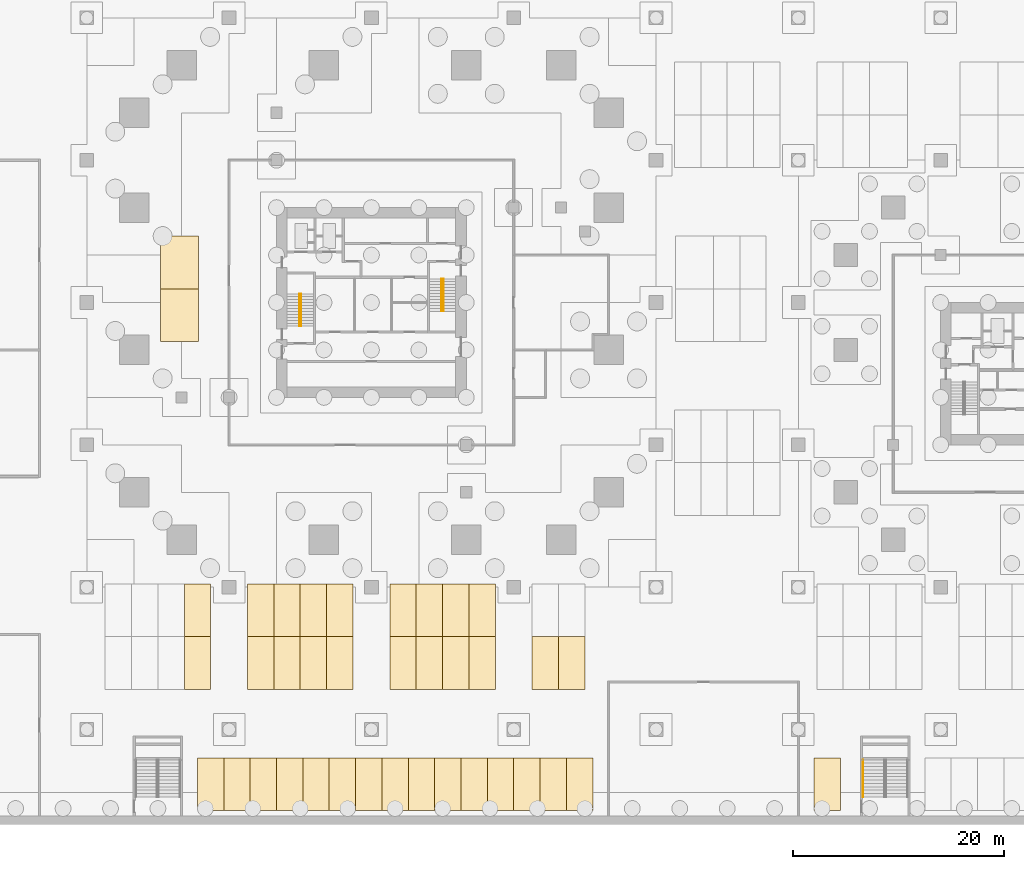
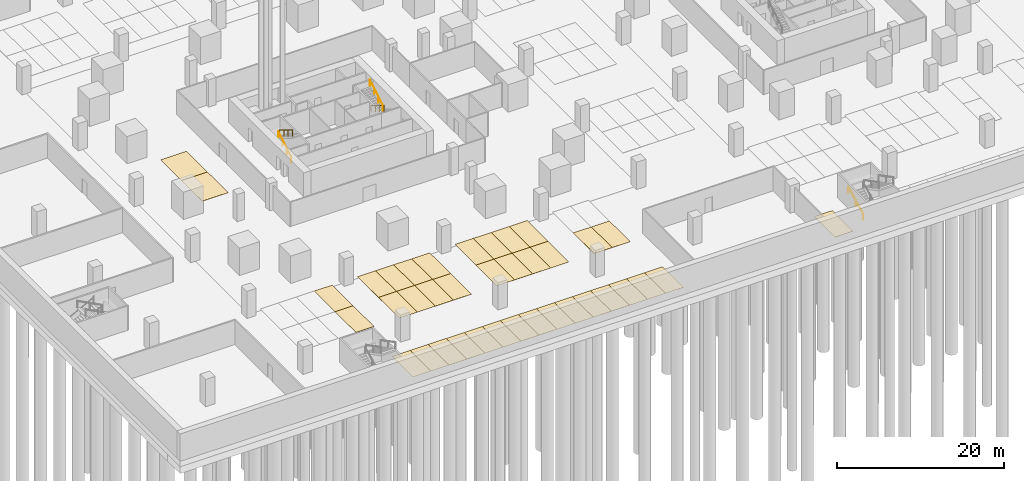
# One storey, part 27 of 40: 38 coverings, 5 railings.
"""IFC4 building model written with IfcOpenShell, lengths in metres."""

from ifc_helpers import new_model, si_unit, direction, frame, origin, origin_2d, place, context, subcontext, project, spatial, polyline, circle, outline, extrude, source, transform, mapped, material, layer, layer_set, type_object, element, save


model = new_model("IFC4")

# Units and contexts
model_context = context("Model", 3, precision=1e-05, world=origin(), true_north=direction((0.0, 1.0)))
body_context = subcontext(model_context, "Body", "Model", "MODEL_VIEW")
ifc_project = project(units=[si_unit("LENGTHUNIT", "METRE"), si_unit("AREAUNIT", "SQUARE_METRE"), si_unit("VOLUMEUNIT", "CUBIC_METRE"), si_unit("PLANEANGLEUNIT", "RADIAN"), si_unit("MASSUNIT", "GRAM", prefix="KILO")], contexts=[model_context])

# Site, building, storey
site_placement = place(None, origin())
site = spatial("IfcSite", under=ifc_project, at=site_placement, CompositionType="ELEMENT")
building_placement = place(site_placement, origin())
building = spatial("IfcBuilding", under=site, at=building_placement, Name="Altepetl Exchange Towers", CompositionType="ELEMENT")
storey_placement = place(building_placement, frame((0.0, 0.0, -8.0)))
storey = spatial("IfcBuildingStorey", under=building, at=storey_placement, Name="B2 Basement parking", CompositionType="ELEMENT", Elevation=-8.0)

# Coverings
ifc_material_1 = material(Name="Road marking paint")
ifc_layer_1 = layer(ifc_material_1, 0.010009765625)
ifc_layer_set_1 = layer_set([ifc_layer_1], Name="Road marking paint")
covering_type_1 = type_object("IfcCoveringType", Name="Accessible parking bay marking 3600 x 5000", PredefinedType="FLOORING", material=ifc_layer_set_1)
covering_1_placement = place(storey_placement, origin())
element("IfcCovering", 1, at=covering_1_placement, inside=storey, type_object=covering_type_1, Name="Accessible parking bay B2-083", PredefinedType="FLOORING", context=body_context, shape_type="SweptSolid", body=[
    extrude(outline(polyline([(29.5, 45.800048828125), (33.10009765625, 45.800048828125), (33.10009765625, 50.800048828125), (29.5, 50.800048828125), (29.5, 45.800048828125)])), origin(), (0.0, 0.0, 1.0), 0.010009765625),
])
covering_2_placement = place(storey_placement, origin())
element("IfcCovering", 2, at=covering_2_placement, inside=storey, type_object=covering_type_1, Name="Accessible parking bay B2-087", PredefinedType="FLOORING", context=body_context, shape_type="SweptSolid", body=[
    extrude(outline(polyline([(29.5, 50.800048828125), (33.10009765625, 50.800048828125), (33.10009765625, 55.800048828125), (29.5, 55.800048828125), (29.5, 50.800048828125)])), origin(), (0.0, 0.0, 1.0), 0.010009765625),
])
ifc_layer_2 = layer(ifc_material_1, 0.010009765625)
ifc_layer_set_2 = layer_set([ifc_layer_2], Name="Road marking paint")
covering_type_2 = type_object("IfcCoveringType", Name="Parking bay marking 2500 x 5000", PredefinedType="FLOORING", material=ifc_layer_set_2)
covering_3_placement = place(storey_placement, origin())
element("IfcCovering", 3, at=covering_3_placement, inside=storey, type_object=covering_type_2, Name="Parking bay B2-001", PredefinedType="FLOORING", context=body_context, shape_type="SweptSolid", body=[
    extrude(outline(polyline([(33.0, 1.300048828125), (35.5, 1.300048828125), (35.5, 6.300048828125), (33.0, 6.300048828125), (33.0, 1.300048828125)])), origin(), (0.0, 0.0, 1.0), 0.010009765625),
])
covering_4_placement = place(storey_placement, origin())
element("IfcCovering", 4, at=covering_4_placement, inside=storey, type_object=covering_type_2, Name="Parking bay B2-002", PredefinedType="FLOORING", context=body_context, shape_type="SweptSolid", body=[
    extrude(outline(polyline([(35.5, 1.300048828125), (38.0, 1.300048828125), (38.0, 6.300048828125), (35.5, 6.300048828125), (35.5, 1.300048828125)])), origin(), (0.0, 0.0, 1.0), 0.010009765625),
])
covering_5_placement = place(storey_placement, origin())
element("IfcCovering", 5, at=covering_5_placement, inside=storey, type_object=covering_type_2, Name="Parking bay B2-003", PredefinedType="FLOORING", context=body_context, shape_type="SweptSolid", body=[
    extrude(outline(polyline([(38.0, 1.300048828125), (40.5, 1.300048828125), (40.5, 6.300048828125), (38.0, 6.300048828125), (38.0, 1.300048828125)])), origin(), (0.0, 0.0, 1.0), 0.010009765625),
])
covering_6_placement = place(storey_placement, origin())
element("IfcCovering", 6, at=covering_6_placement, inside=storey, type_object=covering_type_2, Name="Parking bay B2-004", PredefinedType="FLOORING", context=body_context, shape_type="SweptSolid", body=[
    extrude(outline(polyline([(40.5, 1.300048828125), (43.0, 1.300048828125), (43.0, 6.300048828125), (40.5, 6.300048828125), (40.5, 1.300048828125)])), origin(), (0.0, 0.0, 1.0), 0.010009765625),
])
covering_7_placement = place(storey_placement, origin())
element("IfcCovering", 7, at=covering_7_placement, inside=storey, type_object=covering_type_2, Name="Parking bay B2-005", PredefinedType="FLOORING", context=body_context, shape_type="SweptSolid", body=[
    extrude(outline(polyline([(43.0, 1.300048828125), (45.5, 1.300048828125), (45.5, 6.300048828125), (43.0, 6.300048828125), (43.0, 1.300048828125)])), origin(), (0.0, 0.0, 1.0), 0.010009765625),
])
covering_8_placement = place(storey_placement, origin())
element("IfcCovering", 8, at=covering_8_placement, inside=storey, type_object=covering_type_2, Name="Parking bay B2-006", PredefinedType="FLOORING", context=body_context, shape_type="SweptSolid", body=[
    extrude(outline(polyline([(45.5, 1.300048828125), (48.0, 1.300048828125), (48.0, 6.300048828125), (45.5, 6.300048828125), (45.5, 1.300048828125)])), origin(), (0.0, 0.0, 1.0), 0.010009765625),
])
covering_9_placement = place(storey_placement, origin())
element("IfcCovering", 9, at=covering_9_placement, inside=storey, type_object=covering_type_2, Name="Parking bay B2-007", PredefinedType="FLOORING", context=body_context, shape_type="SweptSolid", body=[
    extrude(outline(polyline([(48.0, 1.300048828125), (50.5, 1.300048828125), (50.5, 6.300048828125), (48.0, 6.300048828125), (48.0, 1.300048828125)])), origin(), (0.0, 0.0, 1.0), 0.010009765625),
])
covering_10_placement = place(storey_placement, origin())
element("IfcCovering", 10, at=covering_10_placement, inside=storey, type_object=covering_type_2, Name="Parking bay B2-008", PredefinedType="FLOORING", context=body_context, shape_type="SweptSolid", body=[
    extrude(outline(polyline([(50.5, 1.300048828125), (53.0, 1.300048828125), (53.0, 6.300048828125), (50.5, 6.300048828125), (50.5, 1.300048828125)])), origin(), (0.0, 0.0, 1.0), 0.010009765625),
])
covering_11_placement = place(storey_placement, origin())
element("IfcCovering", 11, at=covering_11_placement, inside=storey, type_object=covering_type_2, Name="Parking bay B2-009", PredefinedType="FLOORING", context=body_context, shape_type="SweptSolid", body=[
    extrude(outline(polyline([(53.0, 1.300048828125), (55.5, 1.300048828125), (55.5, 6.300048828125), (53.0, 6.300048828125), (53.0, 1.300048828125)])), origin(), (0.0, 0.0, 1.0), 0.010009765625),
])
covering_12_placement = place(storey_placement, origin())
element("IfcCovering", 12, at=covering_12_placement, inside=storey, type_object=covering_type_2, Name="Parking bay B2-010", PredefinedType="FLOORING", context=body_context, shape_type="SweptSolid", body=[
    extrude(outline(polyline([(55.5, 1.300048828125), (58.0, 1.300048828125), (58.0, 6.300048828125), (55.5, 6.300048828125), (55.5, 1.300048828125)])), origin(), (0.0, 0.0, 1.0), 0.010009765625),
])
covering_13_placement = place(storey_placement, origin())
element("IfcCovering", 13, at=covering_13_placement, inside=storey, type_object=covering_type_2, Name="Parking bay B2-011", PredefinedType="FLOORING", context=body_context, shape_type="SweptSolid", body=[
    extrude(outline(polyline([(58.0, 1.300048828125), (60.5, 1.300048828125), (60.5, 6.300048828125), (58.0, 6.300048828125), (58.0, 1.300048828125)])), origin(), (0.0, 0.0, 1.0), 0.010009765625),
])
covering_14_placement = place(storey_placement, origin())
element("IfcCovering", 14, at=covering_14_placement, inside=storey, type_object=covering_type_2, Name="Parking bay B2-012", PredefinedType="FLOORING", context=body_context, shape_type="SweptSolid", body=[
    extrude(outline(polyline([(60.5, 1.300048828125), (63.0, 1.300048828125), (63.0, 6.300048828125), (60.5, 6.300048828125), (60.5, 1.300048828125)])), origin(), (0.0, 0.0, 1.0), 0.010009765625),
])
covering_15_placement = place(storey_placement, origin())
element("IfcCovering", 15, at=covering_15_placement, inside=storey, type_object=covering_type_2, Name="Parking bay B2-013", PredefinedType="FLOORING", context=body_context, shape_type="SweptSolid", body=[
    extrude(outline(polyline([(63.0, 1.300048828125), (65.5, 1.300048828125), (65.5, 6.300048828125), (63.0, 6.300048828125), (63.0, 1.300048828125)])), origin(), (0.0, 0.0, 1.0), 0.010009765625),
])
covering_16_placement = place(storey_placement, origin())
element("IfcCovering", 16, at=covering_16_placement, inside=storey, type_object=covering_type_2, Name="Parking bay B2-014", PredefinedType="FLOORING", context=body_context, shape_type="SweptSolid", body=[
    extrude(outline(polyline([(65.5, 1.300048828125), (68.0, 1.300048828125), (68.0, 6.300048828125), (65.5, 6.300048828125), (65.5, 1.300048828125)])), origin(), (0.0, 0.0, 1.0), 0.010009765625),
])
covering_17_placement = place(storey_placement, origin())
element("IfcCovering", 17, at=covering_17_placement, inside=storey, type_object=covering_type_2, Name="Parking bay B2-015", PredefinedType="FLOORING", context=body_context, shape_type="SweptSolid", body=[
    extrude(outline(polyline([(68.0, 1.300048828125), (70.5, 1.300048828125), (70.5, 6.300048828125), (68.0, 6.300048828125), (68.0, 1.300048828125)])), origin(), (0.0, 0.0, 1.0), 0.010009765625),
])
covering_18_placement = place(storey_placement, origin())
element("IfcCovering", 18, at=covering_18_placement, inside=storey, type_object=covering_type_2, Name="Parking bay B2-016", PredefinedType="FLOORING", context=body_context, shape_type="SweptSolid", body=[
    extrude(outline(polyline([(91.5, 1.300048828125), (94.0, 1.300048828125), (94.0, 6.300048828125), (91.5, 6.300048828125), (91.5, 1.300048828125)])), origin(), (0.0, 0.0, 1.0), 0.010009765625),
])
covering_19_placement = place(storey_placement, origin())
element("IfcCovering", 19, at=covering_19_placement, inside=storey, type_object=covering_type_2, Name="Parking bay B2-030", PredefinedType="FLOORING", context=body_context, shape_type="SweptSolid", body=[
    extrude(outline(polyline([(31.75, 12.800048828125), (34.25, 12.800048828125), (34.25, 17.800048828125), (31.75, 17.800048828125), (31.75, 12.800048828125)])), origin(), (0.0, 0.0, 1.0), 0.010009765625),
])
covering_20_placement = place(storey_placement, origin())
element("IfcCovering", 20, at=covering_20_placement, inside=storey, type_object=covering_type_2, Name="Parking bay B2-031", PredefinedType="FLOORING", context=body_context, shape_type="SweptSolid", body=[
    extrude(outline(polyline([(37.75, 12.800048828125), (40.25, 12.800048828125), (40.25, 17.800048828125), (37.75, 17.800048828125), (37.75, 12.800048828125)])), origin(), (0.0, 0.0, 1.0), 0.010009765625),
])
covering_21_placement = place(storey_placement, origin())
element("IfcCovering", 21, at=covering_21_placement, inside=storey, type_object=covering_type_2, Name="Parking bay B2-032", PredefinedType="FLOORING", context=body_context, shape_type="SweptSolid", body=[
    extrude(outline(polyline([(40.25, 12.800048828125), (42.75, 12.800048828125), (42.75, 17.800048828125), (40.25, 17.800048828125), (40.25, 12.800048828125)])), origin(), (0.0, 0.0, 1.0), 0.010009765625),
])
covering_22_placement = place(storey_placement, origin())
element("IfcCovering", 22, at=covering_22_placement, inside=storey, type_object=covering_type_2, Name="Parking bay B2-033", PredefinedType="FLOORING", context=body_context, shape_type="SweptSolid", body=[
    extrude(outline(polyline([(42.75, 12.800048828125), (45.25, 12.800048828125), (45.25, 17.800048828125), (42.75, 17.800048828125), (42.75, 12.800048828125)])), origin(), (0.0, 0.0, 1.0), 0.010009765625),
])
covering_23_placement = place(storey_placement, origin())
element("IfcCovering", 23, at=covering_23_placement, inside=storey, type_object=covering_type_2, Name="Parking bay B2-034", PredefinedType="FLOORING", context=body_context, shape_type="SweptSolid", body=[
    extrude(outline(polyline([(45.25, 12.800048828125), (47.75, 12.800048828125), (47.75, 17.800048828125), (45.25, 17.800048828125), (45.25, 12.800048828125)])), origin(), (0.0, 0.0, 1.0), 0.010009765625),
])
covering_24_placement = place(storey_placement, origin())
element("IfcCovering", 24, at=covering_24_placement, inside=storey, type_object=covering_type_2, Name="Parking bay B2-035", PredefinedType="FLOORING", context=body_context, shape_type="SweptSolid", body=[
    extrude(outline(polyline([(51.25, 12.800048828125), (53.75, 12.800048828125), (53.75, 17.800048828125), (51.25, 17.800048828125), (51.25, 12.800048828125)])), origin(), (0.0, 0.0, 1.0), 0.010009765625),
])
covering_25_placement = place(storey_placement, origin())
element("IfcCovering", 25, at=covering_25_placement, inside=storey, type_object=covering_type_2, Name="Parking bay B2-036", PredefinedType="FLOORING", context=body_context, shape_type="SweptSolid", body=[
    extrude(outline(polyline([(53.75, 12.800048828125), (56.25, 12.800048828125), (56.25, 17.800048828125), (53.75, 17.800048828125), (53.75, 12.800048828125)])), origin(), (0.0, 0.0, 1.0), 0.010009765625),
])
covering_26_placement = place(storey_placement, origin())
element("IfcCovering", 26, at=covering_26_placement, inside=storey, type_object=covering_type_2, Name="Parking bay B2-037", PredefinedType="FLOORING", context=body_context, shape_type="SweptSolid", body=[
    extrude(outline(polyline([(56.25, 12.800048828125), (58.75, 12.800048828125), (58.75, 17.800048828125), (56.25, 17.800048828125), (56.25, 12.800048828125)])), origin(), (0.0, 0.0, 1.0), 0.010009765625),
])
covering_27_placement = place(storey_placement, origin())
element("IfcCovering", 27, at=covering_27_placement, inside=storey, type_object=covering_type_2, Name="Parking bay B2-038", PredefinedType="FLOORING", context=body_context, shape_type="SweptSolid", body=[
    extrude(outline(polyline([(58.75, 12.800048828125), (61.25, 12.800048828125), (61.25, 17.800048828125), (58.75, 17.800048828125), (58.75, 12.800048828125)])), origin(), (0.0, 0.0, 1.0), 0.010009765625),
])
covering_28_placement = place(storey_placement, origin())
element("IfcCovering", 28, at=covering_28_placement, inside=storey, type_object=covering_type_2, Name="Parking bay B2-039", PredefinedType="FLOORING", context=body_context, shape_type="SweptSolid", body=[
    extrude(outline(polyline([(64.75, 12.800048828125), (67.25, 12.800048828125), (67.25, 17.800048828125), (64.75, 17.800048828125), (64.75, 12.800048828125)])), origin(), (0.0, 0.0, 1.0), 0.010009765625),
])
covering_29_placement = place(storey_placement, origin())
element("IfcCovering", 29, at=covering_29_placement, inside=storey, type_object=covering_type_2, Name="Parking bay B2-040", PredefinedType="FLOORING", context=body_context, shape_type="SweptSolid", body=[
    extrude(outline(polyline([(67.25, 12.800048828125), (69.75, 12.800048828125), (69.75, 17.800048828125), (67.25, 17.800048828125), (67.25, 12.800048828125)])), origin(), (0.0, 0.0, 1.0), 0.010009765625),
])
covering_30_placement = place(storey_placement, origin())
element("IfcCovering", 30, at=covering_30_placement, inside=storey, type_object=covering_type_2, Name="Parking bay B2-054", PredefinedType="FLOORING", context=body_context, shape_type="SweptSolid", body=[
    extrude(outline(polyline([(31.75, 17.800048828125), (34.25, 17.800048828125), (34.25, 22.800048828125), (31.75, 22.800048828125), (31.75, 17.800048828125)])), origin(), (0.0, 0.0, 1.0), 0.010009765625),
])
covering_31_placement = place(storey_placement, origin())
element("IfcCovering", 31, at=covering_31_placement, inside=storey, type_object=covering_type_2, Name="Parking bay B2-055", PredefinedType="FLOORING", context=body_context, shape_type="SweptSolid", body=[
    extrude(outline(polyline([(37.75, 17.800048828125), (40.25, 17.800048828125), (40.25, 22.800048828125), (37.75, 22.800048828125), (37.75, 17.800048828125)])), origin(), (0.0, 0.0, 1.0), 0.010009765625),
])
covering_32_placement = place(storey_placement, origin())
element("IfcCovering", 32, at=covering_32_placement, inside=storey, type_object=covering_type_2, Name="Parking bay B2-056", PredefinedType="FLOORING", context=body_context, shape_type="SweptSolid", body=[
    extrude(outline(polyline([(40.25, 17.800048828125), (42.75, 17.800048828125), (42.75, 22.800048828125), (40.25, 22.800048828125), (40.25, 17.800048828125)])), origin(), (0.0, 0.0, 1.0), 0.010009765625),
])
covering_33_placement = place(storey_placement, origin())
element("IfcCovering", 33, at=covering_33_placement, inside=storey, type_object=covering_type_2, Name="Parking bay B2-057", PredefinedType="FLOORING", context=body_context, shape_type="SweptSolid", body=[
    extrude(outline(polyline([(42.75, 17.800048828125), (45.25, 17.800048828125), (45.25, 22.800048828125), (42.75, 22.800048828125), (42.75, 17.800048828125)])), origin(), (0.0, 0.0, 1.0), 0.010009765625),
])
covering_34_placement = place(storey_placement, origin())
element("IfcCovering", 34, at=covering_34_placement, inside=storey, type_object=covering_type_2, Name="Parking bay B2-058", PredefinedType="FLOORING", context=body_context, shape_type="SweptSolid", body=[
    extrude(outline(polyline([(45.25, 17.800048828125), (47.75, 17.800048828125), (47.75, 22.800048828125), (45.25, 22.800048828125), (45.25, 17.800048828125)])), origin(), (0.0, 0.0, 1.0), 0.010009765625),
])
covering_35_placement = place(storey_placement, origin())
element("IfcCovering", 35, at=covering_35_placement, inside=storey, type_object=covering_type_2, Name="Parking bay B2-059", PredefinedType="FLOORING", context=body_context, shape_type="SweptSolid", body=[
    extrude(outline(polyline([(51.25, 17.800048828125), (53.75, 17.800048828125), (53.75, 22.800048828125), (51.25, 22.800048828125), (51.25, 17.800048828125)])), origin(), (0.0, 0.0, 1.0), 0.010009765625),
])
covering_36_placement = place(storey_placement, origin())
element("IfcCovering", 36, at=covering_36_placement, inside=storey, type_object=covering_type_2, Name="Parking bay B2-060", PredefinedType="FLOORING", context=body_context, shape_type="SweptSolid", body=[
    extrude(outline(polyline([(53.75, 17.800048828125), (56.25, 17.800048828125), (56.25, 22.800048828125), (53.75, 22.800048828125), (53.75, 17.800048828125)])), origin(), (0.0, 0.0, 1.0), 0.010009765625),
])
covering_37_placement = place(storey_placement, origin())
element("IfcCovering", 37, at=covering_37_placement, inside=storey, type_object=covering_type_2, Name="Parking bay B2-061", PredefinedType="FLOORING", context=body_context, shape_type="SweptSolid", body=[
    extrude(outline(polyline([(56.25, 17.800048828125), (58.75, 17.800048828125), (58.75, 22.800048828125), (56.25, 22.800048828125), (56.25, 17.800048828125)])), origin(), (0.0, 0.0, 1.0), 0.010009765625),
])
covering_38_placement = place(storey_placement, origin())
element("IfcCovering", 38, at=covering_38_placement, inside=storey, type_object=covering_type_2, Name="Parking bay B2-062", PredefinedType="FLOORING", context=body_context, shape_type="SweptSolid", body=[
    extrude(outline(polyline([(58.75, 17.800048828125), (61.25, 17.800048828125), (61.25, 22.800048828125), (58.75, 22.800048828125), (58.75, 17.800048828125)])), origin(), (0.0, 0.0, 1.0), 0.010009765625),
])

# Railings
ifc_material_2 = material(Name="Steel", Category="steel")
railing_type_1 = type_object("IfcRailingType", Name="Stair handrail 50 steel tube", PredefinedType="HANDRAIL", material=ifc_material_2)
shared_shape_1 = source(origin(), body_context, "Body", "SweptSolid", [
    extrude(circle(Radius=0.02099609375, at=origin_2d()), origin(), (0.0, 0.0, 1.0), 0.851806640625),
])
railing_1_placement = place(storey_placement, frame((42.669921875, 47.25, 0.166748046875)))
element("IfcRailing", 39, at=railing_1_placement, inside=storey, type_object=railing_type_1, Name="Stair handrail", PredefinedType="HANDRAIL", context=body_context, shape_type="SweptSolid", body=[
    extrude(circle(Radius=0.02392578125, at=origin_2d()), frame((0.0, 0.0, 0.8759765625), z_axis=(0.0, 0.859308565015, 0.511457515432), x_axis=(-1.0, 0.0, 0.0)), (0.0, 0.0, 1.0), 3.58447265625),
    mapped(shared_shape_1, transform((0.0, 0.0, 0.0))),
    mapped(shared_shape_1, transform((0.0, 1.026611328125, 0.611083984375))),
    mapped(shared_shape_1, transform((0.0, 2.053466796875, 1.22216796875))),
    mapped(shared_shape_1, transform((0.0, 3.080078125, 1.833251953125))),
])
for number, where, name in (
    (40, (42.830078125, 50.330078125, 2.166748046875), "Stair handrail"),
    (41, (56.330078125, 51.75, 0.166748046875), "Stair handrail"),
):
    element("IfcRailing", number, at=place(storey_placement, frame(where)), inside=storey, type_object=railing_type_1, Name=name, PredefinedType="HANDRAIL", context=body_context, shape_type="SweptSolid", body=[
        extrude(circle(Radius=0.02392578125, at=origin_2d()), frame((0.0, 0.0, 0.8759765625), z_axis=(0.0, -0.859308565015, 0.511457515432), x_axis=(1.0, 0.0, 0.0)), (0.0, 0.0, 1.0), 3.58447265625),
        mapped(shared_shape_1, transform((0.0, 0.0, 0.0))),
        mapped(shared_shape_1, transform((0.0, -1.026611328125, 0.611083984375))),
        mapped(shared_shape_1, transform((0.0, -2.053466796875, 1.22216796875))),
        mapped(shared_shape_1, transform((0.0, -3.080078125, 1.833251953125))),
    ])
railing_2_placement = place(storey_placement, frame((56.169921875, 48.669921875, 2.166748046875)))
element("IfcRailing", 42, at=railing_2_placement, inside=storey, type_object=railing_type_1, Name="Stair handrail", PredefinedType="HANDRAIL", context=body_context, shape_type="SweptSolid", body=[
    extrude(circle(Radius=0.02392578125, at=origin_2d()), frame((0.0, 0.0, 0.8759765625), z_axis=(0.0, 0.859308565015, 0.511457515432), x_axis=(-1.0, 0.0, 0.0)), (0.0, 0.0, 1.0), 3.58447265625),
    mapped(shared_shape_1, transform((0.0, 0.0, 0.0))),
    mapped(shared_shape_1, transform((0.0, 1.026611328125, 0.611083984375))),
    mapped(shared_shape_1, transform((0.0, 2.053466796875, 1.22216796875))),
    mapped(shared_shape_1, transform((0.0, 3.080078125, 1.833251953125))),
])
ifc_material_3 = material(Name="Stainless steel", Category="steel")
railing_type_2 = type_object("IfcRailingType", Name="Stair handrail 900", PredefinedType="HANDRAIL", material=ifc_material_3)
shared_shape_2 = source(origin(), body_context, "Body", "SweptSolid", [
    extrude(circle(Radius=0.02001953125, at=origin_2d()), origin(), (0.0, 0.0, 1.0), 0.849853515625),
])
railing_3_placement = place(storey_placement, frame((96.14990234375, 2.60009765625, 0.166748046875)))
element("IfcRailing", 43, at=railing_3_placement, inside=storey, type_object=railing_type_2, Name="rail:P:B2:ES2:1a", PredefinedType="HANDRAIL", context=body_context, shape_type="SweptSolid", body=[
    extrude(circle(Radius=0.02490234375, at=origin_2d()), frame((0.0, 0.0, 0.875), z_axis=(0.0, 0.886923534906, 0.461916272965), x_axis=(-1.0, 0.0, 0.0)), (0.0, 0.0, 1.0), 3.96875),
    mapped(shared_shape_2, transform((0.0, 0.0, 0.0))),
    mapped(shared_shape_2, transform((0.0, 1.760009765625, 0.91650390625))),
    mapped(shared_shape_2, transform((0.0, 3.52001953125, 1.833251953125))),
])

save(model, "model.ifc")
